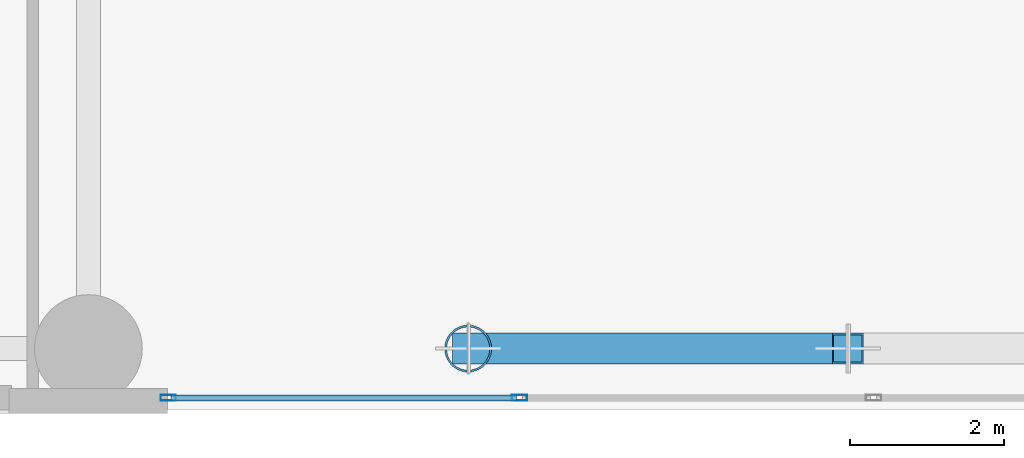
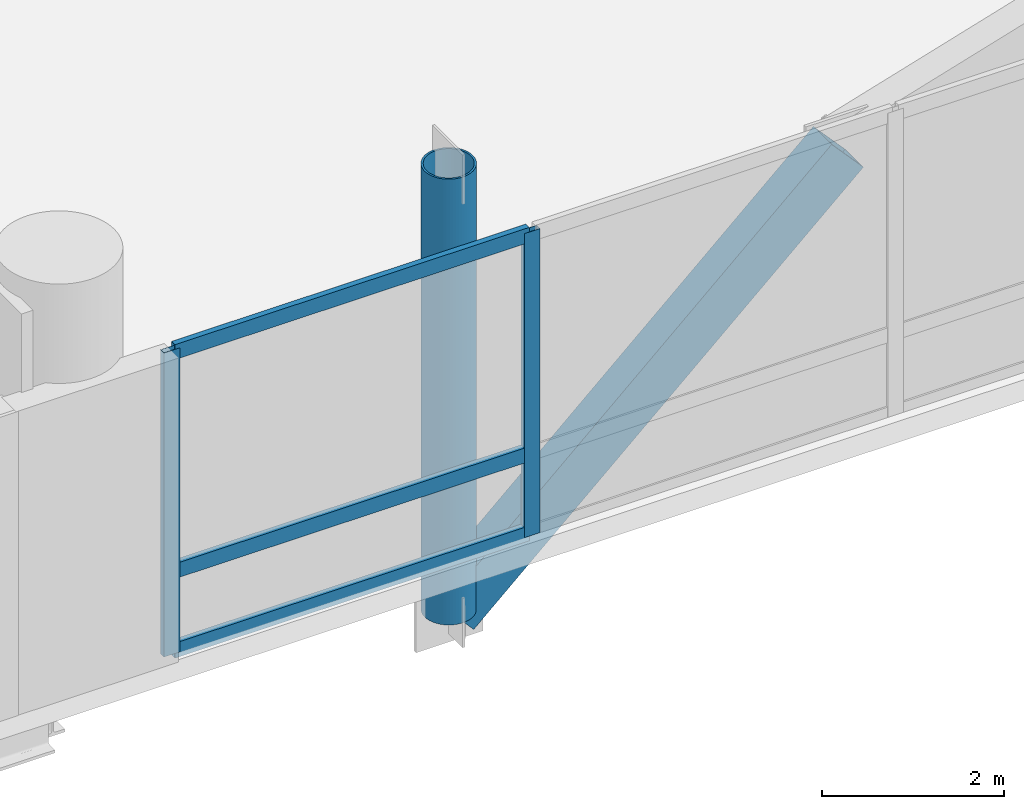
# One storey, part 4 of 36: 7 members, 1 element without a shape of its own.
"""IFC4 building model written with IfcOpenShell, lengths in metres."""

from ifc_helpers import new_model, si_unit, direction, frame, origin, origin_2d, place, context, subcontext, project, spatial, hollow_rectangle, hollow_circle, extrude, material, layer, layer_set, material_profile, profile_set, type_object, element, aggregate, save


model = new_model("IFC4")

# Units and contexts
model_context = context("Model", 3, precision=1e-05, world=origin(), true_north=direction((0.0, 1.0)))
body_context = subcontext(model_context, "Body", "Model", "MODEL_VIEW")
ifc_project = project(units=[si_unit("LENGTHUNIT", "METRE"), si_unit("AREAUNIT", "SQUARE_METRE"), si_unit("VOLUMEUNIT", "CUBIC_METRE"), si_unit("PLANEANGLEUNIT", "RADIAN"), si_unit("MASSUNIT", "GRAM", prefix="KILO")], contexts=[model_context])

# Site, building, storey
site_placement = place(None, origin())
site = spatial("IfcSite", under=ifc_project, at=site_placement, CompositionType="ELEMENT")
building_placement = place(site_placement, origin())
building = spatial("IfcBuilding", under=site, at=building_placement, Name="Varnelok Gate Tower", CompositionType="ELEMENT")
storey_placement = place(building_placement, frame((0.0, 0.0, 10.800048828125)))
storey = spatial("IfcBuildingStorey", under=building, at=storey_placement, Name="L02", CompositionType="ELEMENT", Elevation=10.800048828125)

# Curtain wall, members
ifc_material_1 = material(Name="Anodized Aluminum Alloy 6063-T6", Category="aluminium")
ifc_layer = layer(ifc_material_1, 0.179931640625)
ifc_layer_set = layer_set([ifc_layer], Name="Anodized Aluminum Alloy 6063-T6")
curtain_wall_type = type_object("IfcCurtainWallType", Name="CW1-ARCH-PORTAL", PredefinedType="USERDEFINED", material=ifc_layer_set)
curtain_wall_placement = place(storey_placement, origin())
curtain_wall = element("IfcCurtainWall", 1, at=curtain_wall_placement, inside=storey, type_object=curtain_wall_type, Name="L02 Giant Arch Portal Glazed Curtain Wall", ObjectType="UNITISED CURTAIN WALL", PredefinedType="USERDEFINED")
ifc_material_profile_1 = material_profile(ifc_material_1, hollow_rectangle(XDim=0.074951171875, YDim=0.199951171875, WallThickness=0.00390625, at=origin_2d()), Name="ALU200X75X4")
ifc_profile_set_1 = profile_set([ifc_material_profile_1], Name="Anodized Aluminum Alloy 6063-T6")
member_type_1 = type_object("IfcMemberType", Name="CW-MULL-200", PredefinedType="MULLION", material=ifc_profile_set_1)
member_1_placement = place(storey_placement, frame((30.0, 0.159912109375, 0.0), z_axis=(0.0, 0.0, 1.0), x_axis=(0.0, -1.0, 0.0)))
member_1 = element("IfcMember", 2, at=member_1_placement, type_object=member_type_1, Name="CW1 mullion 6", PredefinedType="MULLION", context=body_context, shape_type="SweptSolid", body=[
    extrude(hollow_rectangle(XDim=0.074951171875, YDim=0.199951171875, WallThickness=0.00390625, at=origin_2d()), origin(), (0.0, 0.0, 1.0), 4.070068359375),
])
member_2_placement = place(storey_placement, frame((25.4375, 0.159912109375, 0.0), z_axis=(0.0, 0.0, 1.0), x_axis=(0.0, -1.0, 0.0)))
member_2 = element("IfcMember", 3, at=member_2_placement, type_object=member_type_1, Name="CW1 mullion 7", PredefinedType="MULLION", context=body_context, shape_type="SweptSolid", body=[
    extrude(hollow_rectangle(XDim=0.074951171875, YDim=0.199951171875, WallThickness=0.00390625, at=origin_2d()), origin(), (0.0, 0.0, 1.0), 4.070068359375),
])
ifc_material_profile_2 = material_profile(ifc_material_1, hollow_rectangle(XDim=0.074951171875, YDim=0.199951171875, WallThickness=0.00390625, at=origin_2d()), Name="ALU200X75X4")
ifc_profile_set_2 = profile_set([ifc_material_profile_2], Name="Anodized Aluminum Alloy 6063-T6")
member_type_2 = type_object("IfcMemberType", Name="CW-TRAN-200", PredefinedType="USERDEFINED", material=ifc_profile_set_2)
member_3_placement = place(storey_placement, frame((29.96240234375, 0.159912109375, 0.037353515625), z_axis=(-1.0, 0.0, 0.0), x_axis=(0.0, -1.0, 0.0)))
member_3 = element("IfcMember", 4, at=member_3_placement, type_object=member_type_2, Name="CW1 transom 6.1", ObjectType="TRANSOM", PredefinedType="USERDEFINED", context=body_context, shape_type="SweptSolid", body=[
    extrude(hollow_rectangle(XDim=0.074951171875, YDim=0.199951171875, WallThickness=0.00390625, at=origin_2d()), origin(), (0.0, 0.0, 1.0), 4.4873046875),
])
member_4_placement = place(storey_placement, frame((29.96240234375, 0.159912109375, 1.099853515625), z_axis=(-1.0, 0.0, 0.0), x_axis=(0.0, -1.0, 0.0)))
member_4 = element("IfcMember", 5, at=member_4_placement, type_object=member_type_2, Name="CW1 transom 6.2", ObjectType="TRANSOM", PredefinedType="USERDEFINED", context=body_context, shape_type="SweptSolid", body=[
    extrude(hollow_rectangle(XDim=0.074951171875, YDim=0.199951171875, WallThickness=0.00390625, at=origin_2d()), origin(), (0.0, 0.0, 1.0), 4.4873046875),
])
member_5_placement = place(storey_placement, frame((29.96240234375, 0.159912109375, 4.032470703125), z_axis=(-1.0, 0.0, 0.0), x_axis=(0.0, -1.0, 0.0)))
member_5 = element("IfcMember", 6, at=member_5_placement, type_object=member_type_2, Name="CW1 transom 6.3", ObjectType="TRANSOM", PredefinedType="USERDEFINED", context=body_context, shape_type="SweptSolid", body=[
    extrude(hollow_rectangle(XDim=0.074951171875, YDim=0.199951171875, WallThickness=0.00390625, at=origin_2d()), origin(), (0.0, 0.0, 1.0), 4.4873046875),
])
aggregate(curtain_wall, [member_1, member_2, member_3, member_4, member_5])

# Members
ifc_material_2 = material(Name="Structural Steel ASTM A572 Grade 50", Category="steel")
ifc_material_profile_3 = material_profile(ifc_material_2, hollow_rectangle(XDim=0.39990234375, YDim=0.60009765625, WallThickness=0.02490234375, at=origin_2d()), Name="HSS600X400X25")
ifc_profile_set_3 = profile_set([ifc_material_profile_3], Name="Structural Steel ASTM A572 Grade 50")
member_type_3 = type_object("IfcMemberType", Name="MEM-ARCH-CHORD", PredefinedType="CHORD", material=ifc_profile_set_3)
member_6_placement = place(storey_placement, frame((29.333251953125, 0.800048828125, -1.166748046875), z_axis=(0.741782714935, 0.0, 0.670640293916), x_axis=(0.0, 1.0, 0.0)))
element("IfcMember", 7, at=member_6_placement, inside=storey, type_object=member_type_3, Name="Giant Arch South Chord Rib 2", PredefinedType="CHORD", context=body_context, shape_type="SweptSolid", body=[
    extrude(hollow_rectangle(XDim=0.39990234375, YDim=0.60009765625, WallThickness=0.02490234375, at=origin_2d()), origin(), (0.0, 0.0, 1.0), 6.650634765625),
])
ifc_material_profile_4 = material_profile(ifc_material_2, hollow_circle(Radius=0.304931640625, WallThickness=0.02490234375, at=origin_2d()), Name="CHS610X25")
ifc_profile_set_4 = profile_set([ifc_material_profile_4], Name="Structural Steel ASTM A572 Grade 50")
member_type_4 = type_object("IfcMemberType", Name="MEM-ARCH-DIAG", PredefinedType="BRACE", material=ifc_profile_set_4)
member_7_placement = place(storey_placement, frame((29.333251953125, 0.800048828125, -1.166748046875), z_axis=(0.0, 0.0, 1.0), x_axis=(1.0, 0.0, 0.0)))
element("IfcMember", 8, at=member_7_placement, inside=storey, type_object=member_type_4, Name="Giant Arch Spandrel Strut South 1", PredefinedType="BRACE", context=body_context, shape_type="SweptSolid", body=[
    extrude(hollow_circle(Radius=0.304931640625, WallThickness=0.02490234375, at=origin_2d()), origin(), (0.0, 0.0, 1.0), 5.966796875),
])

save(model, "model.ifc")
